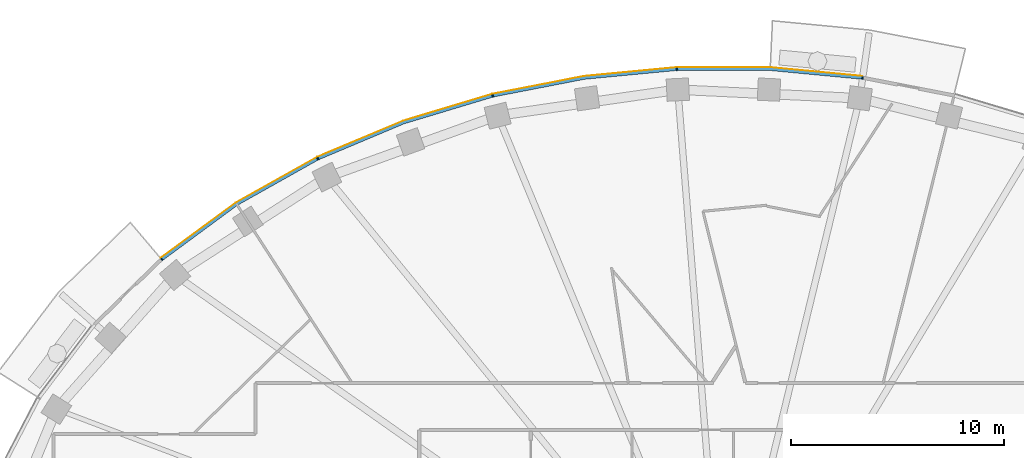
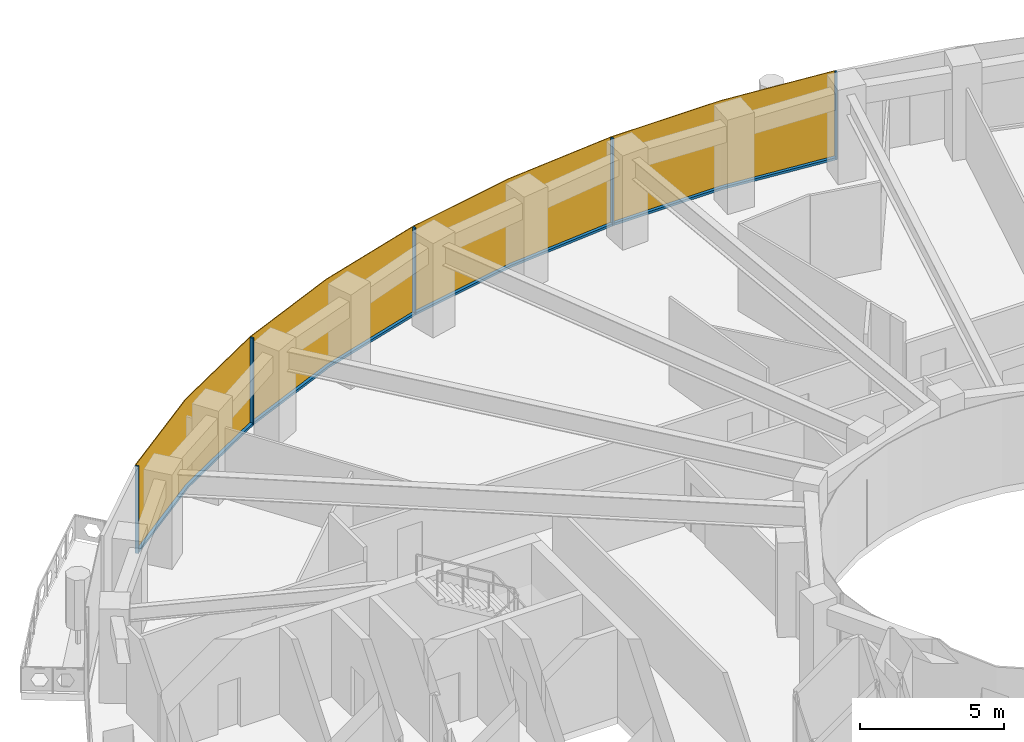
# One storey, part 11 of 16: 9 members, 1 curtain wall.
"""IFC4 building model written with IfcOpenShell, lengths in metres."""

from ifc_helpers import new_model, si_unit, direction, frame, origin, origin_2d, place, context, subcontext, project, spatial, polyline, rectangle, outline, extrude, material, layer, layer_set, material_profile, profile_set, type_object, element, aggregate, save


model = new_model("IFC4")

# Units and contexts
model_context = context("Model", 3, precision=1e-05, world=origin(), true_north=direction((0.0, 1.0)))
body_context = subcontext(model_context, "Body", "Model", "MODEL_VIEW")
ifc_project = project(units=[si_unit("LENGTHUNIT", "METRE"), si_unit("AREAUNIT", "SQUARE_METRE"), si_unit("VOLUMEUNIT", "CUBIC_METRE"), si_unit("PLANEANGLEUNIT", "RADIAN"), si_unit("MASSUNIT", "GRAM", prefix="KILO")], contexts=[model_context])

# Member
ifc_material_1 = material(Name="Aluminium 6063-T6 black anodised", Category="aluminium")
ifc_material_profile = material_profile(ifc_material_1, rectangle(XDim=0.1201171875, YDim=0.06005859375, at=origin_2d()), Name="120x60")
ifc_profile_set = profile_set([ifc_material_profile], Name="Aluminium 6063-T6 black anodised")
member_type_1 = type_object("IfcMemberType", Name="ENV-MULLION-A-120", PredefinedType="MULLION", material=ifc_profile_set)
site_placement = place(None, origin())
building_placement = place(site_placement, origin())
storey_placement = place(building_placement, frame((0.0, 0.0, 261.5)))
member_1_placement = place(storey_placement, frame((6.54638671875, 27.440185546875, 0.0), z_axis=(0.0, 0.0, 1.0), x_axis=(-0.143082012705, -0.989710835366, 0.0)))
member_1 = element("IfcMember", 1, at=member_1_placement, type_object=member_type_1, Name="Mullion A radial 11", PredefinedType="MULLION", context=body_context, shape_type="SweptSolid", body=[
    extrude(rectangle(XDim=0.1201171875, YDim=0.06005859375, at=origin_2d()), origin(), (0.0, 0.0, 1.0), 3.699951171875),
])

member_2_placement = place(storey_placement, frame((-2.188720703125, 27.856201171875, 0.0), z_axis=(0.0, 0.0, 1.0), x_axis=(0.047557873581, -0.998868484166, 0.0)))
member_2 = element("IfcMember", 2, at=member_2_placement, type_object=member_type_1, Name="Mullion A radial 13", PredefinedType="MULLION", context=body_context, shape_type="SweptSolid", body=[
    extrude(rectangle(XDim=0.1201171875, YDim=0.06005859375, at=origin_2d()), origin(), (0.0, 0.0, 1.0), 3.699951171875),
])

member_3_placement = place(storey_placement, frame((-10.84326171875, 26.60498046875, 0.0), z_axis=(0.0, 0.0, 1.0), x_axis=(0.239799081534, -0.970822538106, 0.0)))
member_3 = element("IfcMember", 3, at=member_3_placement, type_object=member_type_1, Name="Mullion A radial 15", PredefinedType="MULLION", context=body_context, shape_type="SweptSolid", body=[
    extrude(rectangle(XDim=0.1201171875, YDim=0.06005859375, at=origin_2d()), origin(), (0.0, 0.0, 1.0), 3.699951171875),
])

member_4_placement = place(storey_placement, frame((-19.06787109375, 23.6474609375, 0.0), z_axis=(0.0, 0.0, 1.0), x_axis=(0.439237769837, -0.898370848563, 0.0)))
member_4 = element("IfcMember", 4, at=member_4_placement, type_object=member_type_1, Name="Mullion A radial 17", PredefinedType="MULLION", context=body_context, shape_type="SweptSolid", body=[
    extrude(rectangle(XDim=0.1201171875, YDim=0.06005859375, at=origin_2d()), origin(), (0.0, 0.0, 1.0), 3.699951171875),
])

member_5_placement = place(storey_placement, frame((-26.403564453125, 18.9130859375, 0.0), z_axis=(0.0, 0.0, 1.0), x_axis=(0.646451313783, -0.762955240435, 0.0)))
member_5 = element("IfcMember", 5, at=member_5_placement, type_object=member_type_1, Name="Mullion A radial 19", PredefinedType="MULLION", context=body_context, shape_type="SweptSolid", body=[
    extrude(rectangle(XDim=0.1201171875, YDim=0.06005859375, at=origin_2d()), origin(), (0.0, 0.0, 1.0), 3.699951171875),
])

ifc_material_2 = material(Name="Aluminium 6063-T6 black anodised", Category="aluminium")
member_type_2 = type_object("IfcMemberType", Name="ENV-TRANSOM-A", PredefinedType="USERDEFINED", material=ifc_material_2)
member_6_placement = place(storey_placement, origin())
member_6 = element("IfcMember", 6, at=member_6_placement, type_object=member_type_2, Name="Transom A radial 11-13", ObjectType="TRANSOM", PredefinedType="USERDEFINED", context=body_context, shape_type="SweptSolid", body=[
    extrude(outline(polyline([(6.527099609375, 27.502197265625), (2.191650390625, 27.916015625), (-2.163818359375, 27.916015625), (-2.157958984375, 27.7958984375), (2.185791015625, 27.7958984375), (6.510009765625, 27.38330078125), (6.527099609375, 27.502197265625)])), origin(), (0.0, 0.0, 1.0), 0.10009765625),
])

member_7_placement = place(storey_placement, origin())
member_7 = element("IfcMember", 7, at=member_7_placement, type_object=member_type_2, Name="Transom A radial 13-15", ObjectType="TRANSOM", PredefinedType="USERDEFINED", context=body_context, shape_type="SweptSolid", body=[
    extrude(outline(polyline([(-2.219482421875, 27.913330078125), (-6.55517578125, 27.49951171875), (-10.830078125, 26.66845703125), (-10.80126953125, 26.552001953125), (-6.537841796875, 27.380615234375), (-2.2138671875, 27.793212890625), (-2.219482421875, 27.913330078125)])), origin(), (0.0, 0.0, 1.0), 0.10009765625),
])

member_8_placement = place(storey_placement, origin())
member_8 = element("IfcMember", 8, at=member_8_placement, type_object=member_type_2, Name="Transom A radial 15-17", ObjectType="TRANSOM", PredefinedType="USERDEFINED", context=body_context, shape_type="SweptSolid", body=[
    extrude(outline(polyline([(-10.884521484375, 26.655029296875), (-15.054443359375, 25.400146484375), (-19.068359375, 23.71240234375), (-19.015380859375, 23.604248046875), (-15.013916015625, 25.287109375), (-10.855712890625, 26.53857421875), (-10.884521484375, 26.655029296875)])), origin(), (0.0, 0.0, 1.0), 0.10009765625),
])

member_9_placement = place(storey_placement, origin())
member_9 = element("IfcMember", 9, at=member_9_placement, type_object=member_type_2, Name="Transom A radial 17-19", ObjectType="TRANSOM", PredefinedType="USERDEFINED", context=body_context, shape_type="SweptSolid", body=[
    extrude(outline(polyline([(-19.11865234375, 23.687744140625), (-22.9150390625, 21.556884765625), (-26.419921875, 18.975341796875), (-26.342041015625, 18.883544921875), (-22.85009765625, 21.455810546875), (-19.06591796875, 23.57958984375), (-19.11865234375, 23.687744140625)])), origin(), (0.0, 0.0, 1.0), 0.10009765625),
])

# Site, building, storey
site = spatial("IfcSite", under=ifc_project, at=site_placement, CompositionType="ELEMENT")
building = spatial("IfcBuilding", under=site, at=building_placement, Name="Noorbagh Ring Tower", CompositionType="ELEMENT")
storey = spatial("IfcBuildingStorey", under=building, at=storey_placement, Name="L55", CompositionType="ELEMENT", Elevation=261.5)

# Curtain wall
ifc_material_3 = material(Name="Glass dark tinted laminated", Category="glass")
ifc_layer = layer(ifc_material_3, 0.031982421875)
ifc_layer_set = layer_set([ifc_layer], Name="Glass dark tinted laminated")
curtain_wall_type = type_object("IfcCurtainWallType", Name="ENV-CW-A", PredefinedType="NOTDEFINED", material=ifc_layer_set)
curtain_wall_placement = place(storey_placement, origin())
curtain_wall = element("IfcCurtainWall", 10, at=curtain_wall_placement, inside=storey, type_object=curtain_wall_type, Name="Curtain wall A R11", PredefinedType="NOTDEFINED", context=body_context, shape_type="SweptSolid", body=[
    extrude(outline(polyline([(6.539794921875, 27.533203125), (2.193115234375, 27.947998046875), (-2.193115234375, 27.947998046875), (-6.559814453125, 27.53125), (-10.865234375, 26.6943359375), (-15.065185546875, 25.430419921875), (-19.108154296875, 23.730224609375), (-22.9326171875, 21.583740234375), (-26.447021484375, 18.9951171875), (-26.42626953125, 18.970703125), (-22.9150390625, 21.556884765625), (-19.093994140625, 23.701416015625), (-15.054443359375, 25.400146484375), (-10.857666015625, 26.6630859375), (-6.55517578125, 27.49951171875), (-2.191650390625, 27.916015625), (2.191650390625, 27.916015625), (6.53515625, 27.50146484375), (6.539794921875, 27.533203125)])), origin(), (0.0, 0.0, 1.0), 3.699951171875),
])

aggregate(curtain_wall, [member_1, member_2, member_3, member_4, member_5, member_6, member_7, member_8, member_9])

save(model, "model.ifc")
